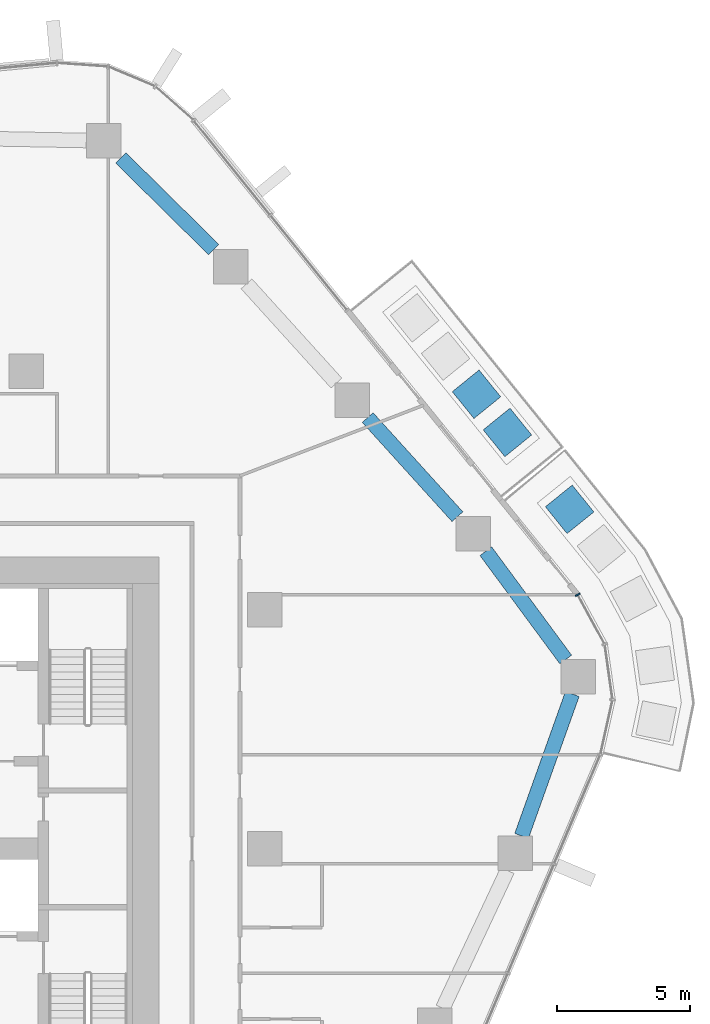
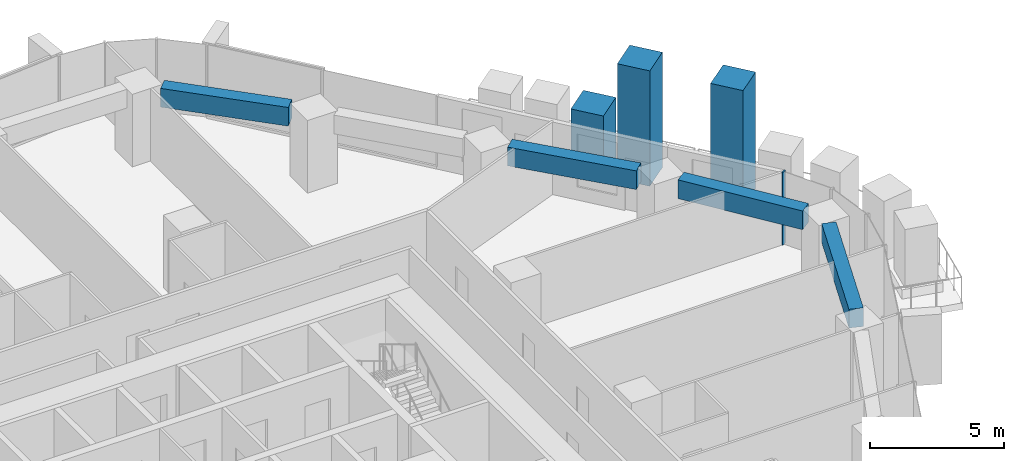
# One storey, part 7 of 24: 4 beams, 4 members, 1 element without a shape of its own.
"""IFC4 building model written with IfcOpenShell, lengths in metres."""

from ifc_helpers import new_model, si_unit, direction, frame, origin, origin_2d, place, context, subcontext, project, spatial, rectangle, extrude, material, layer, layer_set, material_profile, profile_set, type_object, element, aggregate, save


model = new_model("IFC4")

# Units and contexts
model_context = context("Model", 3, precision=1e-05, world=origin(), true_north=direction((0.0, 1.0)))
body_context = subcontext(model_context, "Body", "Model", "MODEL_VIEW")
ifc_project = project(units=[si_unit("LENGTHUNIT", "METRE"), si_unit("AREAUNIT", "SQUARE_METRE"), si_unit("VOLUMEUNIT", "CUBIC_METRE"), si_unit("PLANEANGLEUNIT", "RADIAN"), si_unit("MASSUNIT", "GRAM", prefix="KILO")], contexts=[model_context])

# Site, building, storey
site_placement = place(None, origin())
site = spatial("IfcSite", under=ifc_project, at=site_placement, CompositionType="ELEMENT")
building_placement = place(site_placement, origin())
building = spatial("IfcBuilding", under=site, at=building_placement, Name="Dongbaek Canopy Tower", CompositionType="ELEMENT")
storey_placement = place(building_placement, frame((0.0, 0.0, 124.800048828125)))
storey = spatial("IfcBuildingStorey", under=building, at=storey_placement, Name="L27", CompositionType="ELEMENT", Elevation=124.800048828125)

# Curtain wall, member
ifc_material_1 = material(Name="Aluminium 6063-T6 pale anodised", Category="aluminium")
ifc_layer = layer(ifc_material_1, 0.199951171875)
ifc_layer_set = layer_set([ifc_layer], Name="CW-1 unitised tower curtain wall")
curtain_wall_type = type_object("IfcCurtainWallType", Name="CW-1 unitised tower curtain wall", PredefinedType="NOTDEFINED", material=ifc_layer_set)
curtain_wall_placement = place(storey_placement, origin())
curtain_wall = element("IfcCurtainWall", 1, at=curtain_wall_placement, inside=storey, type_object=curtain_wall_type, Name="CW-1 curtain wall K0.1", PredefinedType="NOTDEFINED")
ifc_material_2 = material(Name="Aluminium 6063-T6 pale anodised", Category="aluminium")
ifc_material_profile_1 = material_profile(ifc_material_2, rectangle(XDim=0.199951171875, YDim=0.06005859375, at=origin_2d()), Name="CW-1 mullion 60 x 200")
ifc_profile_set_1 = profile_set([ifc_material_profile_1], Name="Aluminium 6063-T6 pale anodised")
member_type_1 = type_object("IfcMemberType", Name="CW-1 mullion 60 x 200", PredefinedType="MULLION", material=ifc_profile_set_1)
member_1_placement = place(storey_placement, frame((29.782958984375, 9.572021484375, 0.0), z_axis=(0.0, 0.0, 1.0), x_axis=(0.87734214374, 0.479865359052, 0.0)))
member_1 = element("IfcMember", 2, at=member_1_placement, type_object=member_type_1, Name="CW-1 mullion K0.1.4", PredefinedType="MULLION", context=body_context, shape_type="SweptSolid", body=[
    extrude(rectangle(XDim=0.199951171875, YDim=0.06005859375, at=origin_2d()), origin(), (0.0, 0.0, 1.0), 3.300048828125),
])
aggregate(curtain_wall, [member_1])

# Beams
ifc_material_3 = material(Name="Concrete C80", Category="concrete")
ifc_material_profile_2 = material_profile(ifc_material_3, rectangle(XDim=0.550048828125, YDim=0.85009765625, at=origin_2d()), Name="RC EDGE BEAM 550x850 C80")
ifc_profile_set_2 = profile_set([ifc_material_profile_2], Name="Concrete C80")
beam_type = type_object("IfcBeamType", Name="RC EDGE BEAM 550x850 C80", PredefinedType="BEAM", material=ifc_profile_set_2)
beam_1_placement = place(storey_placement, frame((12.56689453125, 26.032470703125, 2.875), z_axis=(0.711707070228, -0.702476366995, 0.0), x_axis=(0.702476366995, 0.711707070228, 0.0)))
element("IfcBeam", 3, at=beam_1_placement, inside=storey, type_object=beam_type, Name="EDGEBEAM:L27:17", PredefinedType="BEAM", context=body_context, shape_type="SweptSolid", body=[
    extrude(rectangle(XDim=0.550048828125, YDim=0.85009765625, at=origin_2d()), origin(), (0.0, 0.0, 1.0), 4.91943359375),
])
beam_2_placement = place(storey_placement, frame((21.86865234375, 16.248046875, 2.875), z_axis=(0.671270897358, -0.74121210349, 0.0), x_axis=(0.74121210349, 0.671270897358, 0.0)))
element("IfcBeam", 4, at=beam_2_placement, inside=storey, type_object=beam_type, Name="EDGEBEAM:L27:19", PredefinedType="BEAM", context=body_context, shape_type="SweptSolid", body=[
    extrude(rectangle(XDim=0.550048828125, YDim=0.85009765625, at=origin_2d()), origin(), (0.0, 0.0, 1.0), 5.04052734375),
])
beam_3_placement = place(storey_placement, frame((26.320556640625, 11.2119140625, 2.875), z_axis=(0.593780308667, -0.804627208736, 0.0), x_axis=(0.804627208736, 0.593780308667, 0.0)))
element("IfcBeam", 5, at=beam_3_placement, inside=storey, type_object=beam_type, Name="EDGEBEAM:L27:20", PredefinedType="BEAM", context=body_context, shape_type="SweptSolid", body=[
    extrude(rectangle(XDim=0.550048828125, YDim=0.85009765625, at=origin_2d()), origin(), (0.0, 0.0, 1.0), 5.070556640625),
])
beam_4_placement = place(storey_placement, frame((29.578857421875, 5.83203125, 2.875), z_axis=(-0.33649709705, -0.941684503258, 0.0), x_axis=(0.941684503258, -0.33649709705, 0.0)))
element("IfcBeam", 6, at=beam_4_placement, inside=storey, type_object=beam_type, Name="EDGEBEAM:L27:21", PredefinedType="BEAM", context=body_context, shape_type="SweptSolid", body=[
    extrude(rectangle(XDim=0.550048828125, YDim=0.85009765625, at=origin_2d()), origin(), (0.0, 0.0, 1.0), 5.677978515625),
])

# Members
ifc_material_4 = material(Name="Concrete C40/50 planter mass with planting", Category="concrete")
ifc_material_profile_3 = material_profile(ifc_material_4, rectangle(XDim=1.300048828125, YDim=1.300048828125, at=origin_2d()), Name="Terrace PLANTER shrub mass 1300 x 1300")
ifc_profile_set_3 = profile_set([ifc_material_profile_3], Name="Concrete C40/50 planter mass with planting")
member_type_2 = type_object("IfcMemberType", Name="Terrace PLANTER shrub mass 1300 x 1300", PredefinedType="USERDEFINED", material=ifc_profile_set_3)
member_2_placement = place(storey_placement, frame((27.134521484375, 15.687255859375, 0.419921875), z_axis=(0.0, 0.0, 1.0), x_axis=(0.777161000453, 0.629301818982, 0.0)))
element("IfcMember", 7, at=member_2_placement, inside=storey, type_object=member_type_2, Name="Planter tree L27 1.1", ObjectType="PLANTER", PredefinedType="USERDEFINED", context=body_context, shape_type="SweptSolid", body=[
    extrude(rectangle(XDim=1.300048828125, YDim=1.300048828125, at=origin_2d()), origin(), (0.0, 0.0, 1.0), 5.25),
])
member_3_placement = place(storey_placement, frame((25.969482421875, 17.1259765625, 0.419921875), z_axis=(0.0, 0.0, 1.0), x_axis=(0.777161000453, 0.629301818982, 0.0)))
element("IfcMember", 8, at=member_3_placement, inside=storey, type_object=member_type_2, Name="Planter shrubs L27 1.2", ObjectType="PLANTER", PredefinedType="USERDEFINED", context=body_context, shape_type="SweptSolid", body=[
    extrude(rectangle(XDim=1.300048828125, YDim=1.300048828125, at=origin_2d()), origin(), (0.0, 0.0, 1.0), 2.72998046875),
])
member_4_placement = place(storey_placement, frame((29.478515625, 12.789794921875, 0.419921875), z_axis=(0.0, 0.0, 1.0), x_axis=(0.778293029355, 0.627901234637, 0.0)))
element("IfcMember", 9, at=member_4_placement, inside=storey, type_object=member_type_2, Name="Planter tree L27 5.5", ObjectType="PLANTER", PredefinedType="USERDEFINED", context=body_context, shape_type="SweptSolid", body=[
    extrude(rectangle(XDim=1.300048828125, YDim=1.300048828125, at=origin_2d()), origin(), (0.0, 0.0, 1.0), 5.2900390625),
])

save(model, "model.ifc")
